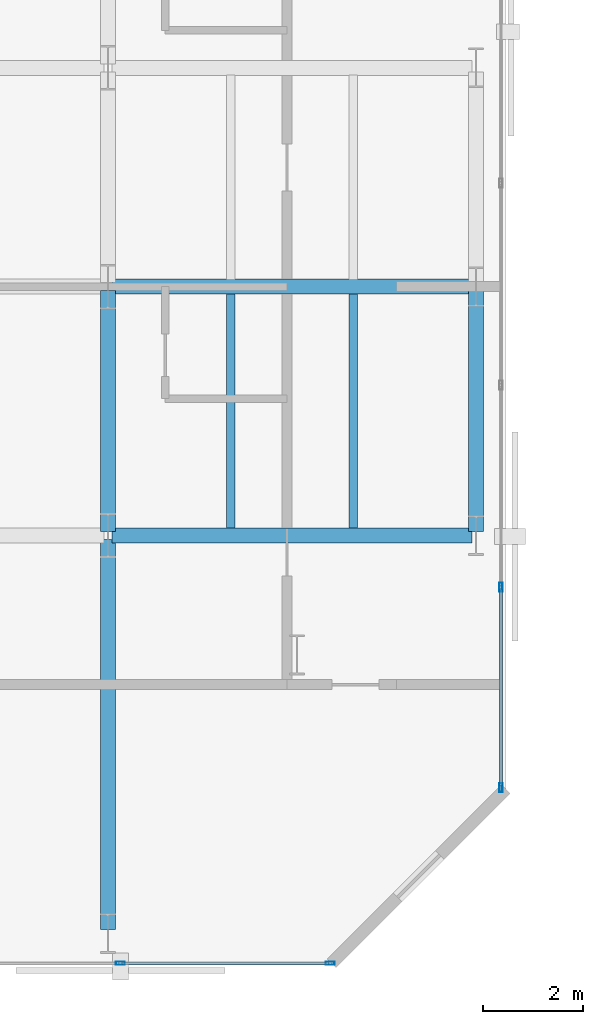
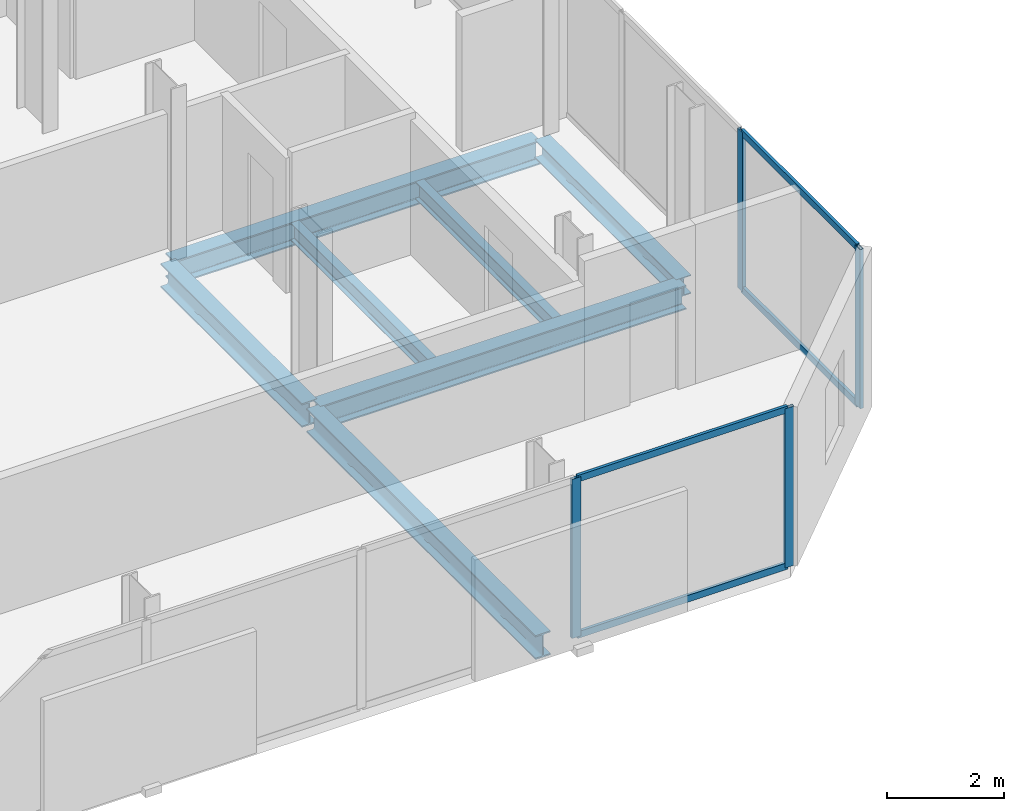
# One storey, part 7 of 33: 8 members, 7 beams, 2 elements without a shape of their own.
"""IFC4 building model written with IfcOpenShell, lengths in metres."""

from ifc_helpers import new_model, si_unit, direction, frame, origin, origin_2d, place, context, subcontext, project, spatial, hollow_rectangle, i_section, extrude, material, layer, layer_set, material_profile, profile_set, type_object, element, aggregate, save


model = new_model("IFC4")

# Units and contexts
model_context = context("Model", 3, precision=1e-05, world=origin(), true_north=direction((0.0, 1.0)))
body_context = subcontext(model_context, "Body", "Model", "MODEL_VIEW")
ifc_project = project(units=[si_unit("LENGTHUNIT", "METRE"), si_unit("AREAUNIT", "SQUARE_METRE"), si_unit("VOLUMEUNIT", "CUBIC_METRE"), si_unit("PLANEANGLEUNIT", "RADIAN"), si_unit("MASSUNIT", "GRAM", prefix="KILO")], contexts=[model_context])

# Site, building, storey
site_placement = place(None, origin())
site = spatial("IfcSite", under=ifc_project, at=site_placement, CompositionType="ELEMENT")
building_placement = place(site_placement, origin())
building = spatial("IfcBuilding", under=site, at=building_placement, Name="Catumbela Crestline Tower", CompositionType="ELEMENT")
storey_placement = place(building_placement, frame((0.0, 0.0, 54.6)))
storey = spatial("IfcBuildingStorey", under=building, at=storey_placement, Name="L13", CompositionType="ELEMENT", Elevation=54.6)

# Beams
ifc_material_1 = material(Name="Structural steel S355J2", Category="steel")
ifc_material_profile_1 = material_profile(ifc_material_1, i_section(OverallWidth=0.3, OverallDepth=0.5, WebThickness=0.0145, FlangeThickness=0.028, FilletRadius=0.027, at=origin_2d()), Name="HEB 500")
ifc_profile_set_1 = profile_set([ifc_material_profile_1], Name="Structural steel S355J2")
beam_type_1 = type_object("IfcBeamType", Name="BG-HEB500", PredefinedType="BEAM", material=ifc_profile_set_1)
for number, where, z_axis, x_axis, name in (
    (1, (16.08, 8.6, -0.51), (1.0, 0.0, 0.0), (0.0, 1.0, 0.0), "L13 Beam BM-L13-WEW50"),
    (2, (16.08, 13.6, -0.51), (1.0, 0.0, 0.0), (0.0, 1.0, 0.0), "L13 Beam BM-L13-WEW53"),
):
    element("IfcBeam", number, at=place(storey_placement, frame(where, z_axis=z_axis, x_axis=x_axis)), inside=storey, type_object=beam_type_1, Name=name, PredefinedType="BEAM", context=body_context, shape_type="SweptSolid", body=[
        extrude(i_section(OverallWidth=0.3, OverallDepth=0.5, WebThickness=0.0145, FlangeThickness=0.028, FilletRadius=0.027, at=origin_2d()), origin(), (0.0, 0.0, 1.0), 7.24),
    ])
beam_1_placement = place(storey_placement, frame((16.0, 0.68, -0.51), z_axis=(0.0, 1.0, 0.0), x_axis=(-1.0, 0.0, 0.0)))
element("IfcBeam", 3, at=beam_1_placement, inside=storey, type_object=beam_type_1, Name="L13 Beam BM-L13-WNS64", PredefinedType="BEAM", context=body_context, shape_type="SweptSolid", body=[
    extrude(i_section(OverallWidth=0.3, OverallDepth=0.5, WebThickness=0.0145, FlangeThickness=0.028, FilletRadius=0.027, at=origin_2d()), origin(), (0.0, 0.0, 1.0), 7.84),
])
beam_2_placement = place(storey_placement, frame((16.0, 8.68, -0.51), z_axis=(0.0, 1.0, 0.0), x_axis=(-1.0, 0.0, 0.0)))
element("IfcBeam", 4, at=beam_2_placement, inside=storey, type_object=beam_type_1, Name="L13 Beam BM-L13-WNS65", PredefinedType="BEAM", context=body_context, shape_type="SweptSolid", body=[
    extrude(i_section(OverallWidth=0.3, OverallDepth=0.5, WebThickness=0.0145, FlangeThickness=0.028, FilletRadius=0.027, at=origin_2d()), origin(), (0.0, 0.0, 1.0), 4.84),
])
ifc_material_profile_2 = material_profile(ifc_material_1, i_section(OverallWidth=0.17, OverallDepth=0.36, WebThickness=0.008, FlangeThickness=0.0127, FilletRadius=0.018, at=origin_2d()), Name="IPE 360")
ifc_profile_set_2 = profile_set([ifc_material_profile_2], Name="Structural steel S355J2")
beam_type_2 = type_object("IfcBeamType", Name="BJ-IPE360", PredefinedType="JOIST", material=ifc_profile_set_2)
for number, where, z_axis, x_axis, name in (
    (5, (18.467, 8.747, -0.44), (0.0, 1.0, 0.0), (-1.0, 0.0, 0.0), "L13 Joist JS-L13-WG74"),
    (6, (20.933, 8.747, -0.44), (0.0, 1.0, 0.0), (-1.0, 0.0, 0.0), "L13 Joist JS-L13-WG75"),
):
    element("IfcBeam", number, at=place(storey_placement, frame(where, z_axis=z_axis, x_axis=x_axis)), inside=storey, type_object=beam_type_2, Name=name, PredefinedType="JOIST", context=body_context, shape_type="SweptSolid", body=[
        extrude(i_section(OverallWidth=0.17, OverallDepth=0.36, WebThickness=0.008, FlangeThickness=0.0127, FilletRadius=0.018, at=origin_2d()), origin(), (0.0, 0.0, 1.0), 4.706),
    ])

# Curtain wall, members
ifc_material_2 = material(Name="Aluminium alloy AW-6060-T66", Category="aluminium")
ifc_layer = layer(ifc_material_2, 0.18, Name="Aluminium alloy AW-6060-T66")
ifc_layer_set = layer_set([ifc_layer], Name="Aluminium alloy AW-6060-T66")
curtain_wall_type = type_object("IfcCurtainWallType", Name="CWU-Z1", PredefinedType="USERDEFINED", material=ifc_layer_set)
curtain_wall_1_placement = place(storey_placement, origin())
curtain_wall_1 = element("IfcCurtainWall", 7, at=curtain_wall_1_placement, inside=storey, type_object=curtain_wall_type, Name="L13 Unitised Curtain Wall CW-L13-E0S1", ObjectType="UNITISED", PredefinedType="USERDEFINED")
ifc_material_profile_3 = material_profile(ifc_material_2, hollow_rectangle(XDim=0.065, YDim=0.18, WallThickness=0.004, at=origin_2d()), Name="ALU 180x65x4")
ifc_profile_set_3 = profile_set([ifc_material_profile_3], Name="Aluminium alloy AW-6060-T66")
member_type_1 = type_object("IfcMemberType", Name="MUL-180X65", PredefinedType="MULLION", material=ifc_profile_set_3)
member_1_placement = place(storey_placement, frame((16.25, 0.0, 0.0), z_axis=(0.0, 0.0, 1.0), x_axis=(0.0, 1.0, 0.0)))
member_1 = element("IfcMember", 8, at=member_1_placement, type_object=member_type_1, Name="CWU-Z1 mullion 4", PredefinedType="MULLION", context=body_context, shape_type="SweptSolid", body=[
    extrude(hollow_rectangle(XDim=0.065, YDim=0.18, WallThickness=0.004, at=origin_2d()), origin(), (0.0, 0.0, 1.0), 3.33),
])
member_2_placement = place(storey_placement, frame((20.4675, 0.0, 0.0), z_axis=(0.0, 0.0, 1.0), x_axis=(0.0, 1.0, 0.0)))
member_2 = element("IfcMember", 9, at=member_2_placement, type_object=member_type_1, Name="CWU-Z1 mullion 5", PredefinedType="MULLION", context=body_context, shape_type="SweptSolid", body=[
    extrude(hollow_rectangle(XDim=0.065, YDim=0.18, WallThickness=0.004, at=origin_2d()), origin(), (0.0, 0.0, 1.0), 3.33),
])

curtain_wall_2_placement = place(storey_placement, origin())
curtain_wall_2 = element("IfcCurtainWall", 10, at=curtain_wall_2_placement, inside=storey, type_object=curtain_wall_type, Name="L13 Unitised Curtain Wall CW-L13-E2S1", ObjectType="UNITISED", PredefinedType="USERDEFINED")
member_3_placement = place(storey_placement, frame((23.9, 3.5325, 0.0), z_axis=(0.0, 0.0, 1.0), x_axis=(-1.0, 0.0, 0.0)))
member_3 = element("IfcMember", 11, at=member_3_placement, type_object=member_type_1, Name="CWU-Z1 mullion 1", PredefinedType="MULLION", context=body_context, shape_type="SweptSolid", body=[
    extrude(hollow_rectangle(XDim=0.065, YDim=0.18, WallThickness=0.004, at=origin_2d()), origin(), (0.0, 0.0, 1.0), 3.33),
])
member_4_placement = place(storey_placement, frame((23.9, 7.56, 0.0), z_axis=(0.0, 0.0, 1.0), x_axis=(-1.0, 0.0, 0.0)))
member_4 = element("IfcMember", 12, at=member_4_placement, type_object=member_type_1, Name="CWU-Z1 mullion 2", PredefinedType="MULLION", context=body_context, shape_type="SweptSolid", body=[
    extrude(hollow_rectangle(XDim=0.065, YDim=0.18, WallThickness=0.004, at=origin_2d()), origin(), (0.0, 0.0, 1.0), 3.33),
])

# Beam
ifc_material_profile_4 = material_profile(ifc_material_1, i_section(OverallWidth=0.3, OverallDepth=0.39, WebThickness=0.011, FlangeThickness=0.019, FilletRadius=0.027, at=origin_2d()), Name="HEA 400")
ifc_profile_set_4 = profile_set([ifc_material_profile_4], Name="Structural steel S355J2")
beam_type_3 = type_object("IfcBeamType", Name="BS-HEA400", PredefinedType="SPANDREL", material=ifc_profile_set_4)
beam_3_placement = place(storey_placement, frame((23.4, 8.68, -0.455), z_axis=(0.0, 1.0, 0.0), x_axis=(-1.0, 0.0, 0.0)))
element("IfcBeam", 13, at=beam_3_placement, inside=storey, type_object=beam_type_3, Name="L13 Spandrel SP-L13-WNS68", PredefinedType="SPANDREL", context=body_context, shape_type="SweptSolid", body=[
    extrude(i_section(OverallWidth=0.3, OverallDepth=0.39, WebThickness=0.011, FlangeThickness=0.019, FilletRadius=0.027, at=origin_2d()), origin(), (0.0, 0.0, 1.0), 4.84),
])

# Member
ifc_material_profile_5 = material_profile(ifc_material_2, hollow_rectangle(XDim=0.06, YDim=0.14, WallThickness=0.004, at=origin_2d()), Name="ALU 140x60x4")
ifc_profile_set_5 = profile_set([ifc_material_profile_5], Name="Aluminium alloy AW-6060-T66")
member_type_2 = type_object("IfcMemberType", Name="TRN-140X60", PredefinedType="USERDEFINED", material=ifc_profile_set_5)
member_5_placement = place(storey_placement, frame((16.2825, 0.0, 0.03), z_axis=(1.0, 0.0, 0.0), x_axis=(0.0, 1.0, 0.0)))
member_5 = element("IfcMember", 14, at=member_5_placement, type_object=member_type_2, Name="CWU-Z1 transom 4.1", ObjectType="TRANSOM", PredefinedType="USERDEFINED", context=body_context, shape_type="SweptSolid", body=[
    extrude(hollow_rectangle(XDim=0.06, YDim=0.14, WallThickness=0.004, at=origin_2d()), origin(), (0.0, 0.0, 1.0), 4.1525),
])

member_6_placement = place(storey_placement, frame((16.2825, 0.0, 3.3), z_axis=(1.0, 0.0, 0.0), x_axis=(0.0, 1.0, 0.0)))
member_6 = element("IfcMember", 15, at=member_6_placement, type_object=member_type_2, Name="CWU-Z1 transom 4.2", ObjectType="TRANSOM", PredefinedType="USERDEFINED", context=body_context, shape_type="SweptSolid", body=[
    extrude(hollow_rectangle(XDim=0.06, YDim=0.14, WallThickness=0.004, at=origin_2d()), origin(), (0.0, 0.0, 1.0), 4.1525),
])

aggregate(curtain_wall_1, [member_1, member_2, member_5, member_6])

member_7_placement = place(storey_placement, frame((23.9, 3.565, 0.03), z_axis=(0.0, 1.0, 0.0), x_axis=(-1.0, 0.0, 0.0)))
member_7 = element("IfcMember", 16, at=member_7_placement, type_object=member_type_2, Name="CWU-Z1 transom 1.1", ObjectType="TRANSOM", PredefinedType="USERDEFINED", context=body_context, shape_type="SweptSolid", body=[
    extrude(hollow_rectangle(XDim=0.06, YDim=0.14, WallThickness=0.004, at=origin_2d()), origin(), (0.0, 0.0, 1.0), 3.9625),
])

member_8_placement = place(storey_placement, frame((23.9, 3.565, 3.3), z_axis=(0.0, 1.0, 0.0), x_axis=(-1.0, 0.0, 0.0)))
member_8 = element("IfcMember", 17, at=member_8_placement, type_object=member_type_2, Name="CWU-Z1 transom 1.2", ObjectType="TRANSOM", PredefinedType="USERDEFINED", context=body_context, shape_type="SweptSolid", body=[
    extrude(hollow_rectangle(XDim=0.06, YDim=0.14, WallThickness=0.004, at=origin_2d()), origin(), (0.0, 0.0, 1.0), 3.9625),
])

aggregate(curtain_wall_2, [member_3, member_4, member_7, member_8])

save(model, "model.ifc")
